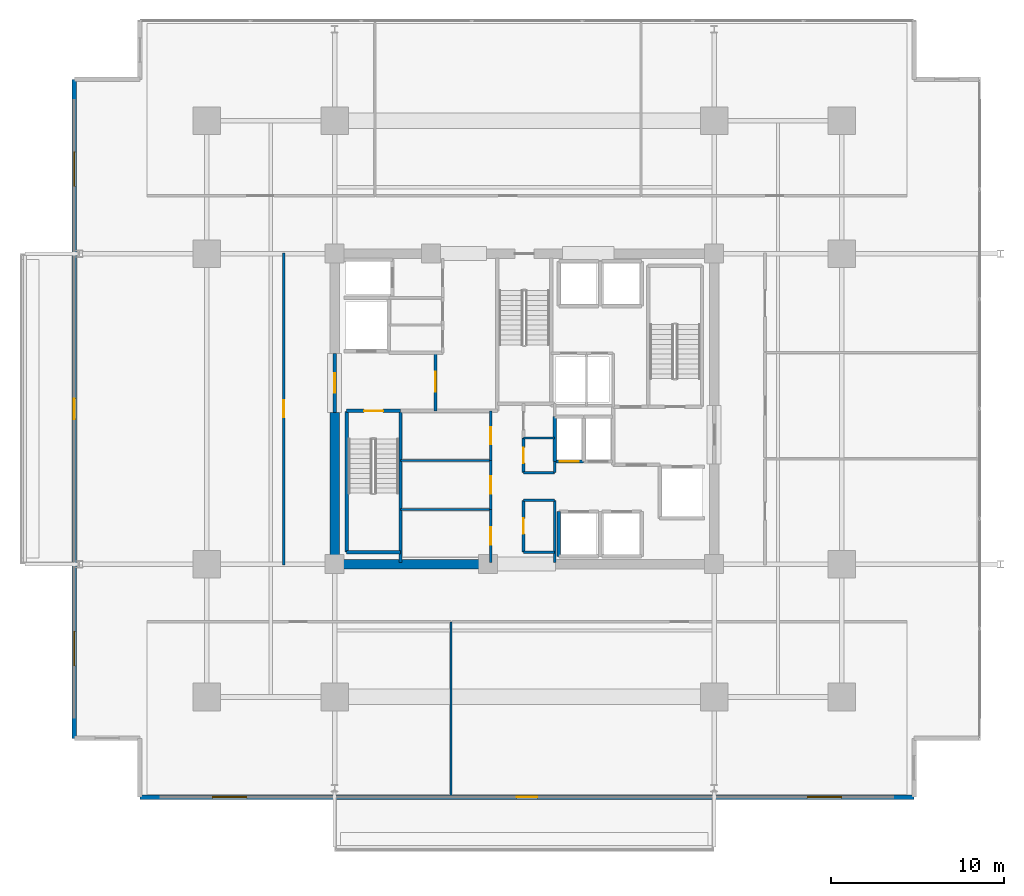
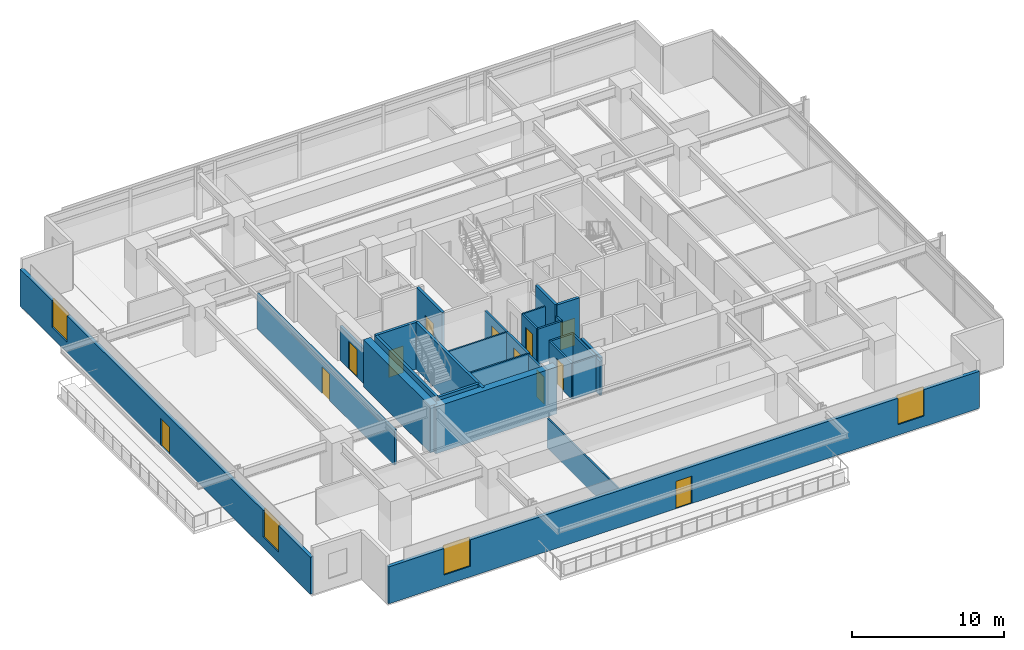
# One storey, part 14 of 23: 28 walls, 12 doors, 4 windows, 16 openings.
"""IFC4 building model written with IfcOpenShell, lengths in metres."""

from ifc_helpers import new_model, si_unit, direction, frame, frame_2d, origin, place, context, subcontext, project, spatial, rectangle, extrude, material, layer, layer_set, type_object, element, fill, save


model = new_model("IFC4")

# Units and contexts
model_context = context("Model", 3, precision=1e-05, world=origin(), true_north=direction((0.0, 1.0)))
body_context = subcontext(model_context, "Body", "Model", "MODEL_VIEW")
ifc_project = project(units=[si_unit("LENGTHUNIT", "METRE"), si_unit("AREAUNIT", "SQUARE_METRE"), si_unit("VOLUMEUNIT", "CUBIC_METRE"), si_unit("PLANEANGLEUNIT", "RADIAN"), si_unit("MASSUNIT", "GRAM", prefix="KILO")], contexts=[model_context])

# Site, building, storey
site_placement = place(None, origin())
site = spatial("IfcSite", under=ifc_project, at=site_placement, CompositionType="ELEMENT")
building_placement = place(site_placement, origin())
building = spatial("IfcBuilding", under=site, at=building_placement, Name="Kovane Verandah Tower", CompositionType="ELEMENT")
storey_placement = place(building_placement, frame((0.0, 0.0, 136.39990234375)))
storey = spatial("IfcBuildingStorey", under=building, at=storey_placement, Name="L31", CompositionType="ELEMENT", Elevation=136.39990234375)

# Walls
ifc_material_1 = material(Name="Fire-Rated Gypsum Stud Partition", Category="gypsum")
ifc_layer_1 = layer(ifc_material_1, 0.14990234375)
ifc_layer_set_1 = layer_set([ifc_layer_1], Name="Fire-Rated Gypsum Stud Partition")
wall_type_1 = type_object("IfcWallType", Name="WL-COR-150", PredefinedType="PARTITIONING", material=ifc_layer_set_1)
for number, where, z_axis, x_axis, name in (
    (1, (39.949951171875, 19.199951171875, 0.0), (0.0, 0.0, 1.0), (1.0, 0.0, 0.0), "L31 Central Core Strip South Wall"),
    (2, (39.949951171875, 22.199951171875, 0.0), (0.0, 0.0, 1.0), (1.0, 0.0, 0.0), "L31 Core Cross-Passage South Wall"),
    (3, (39.949951171875, 23.800048828125, 0.0), (0.0, 0.0, 1.0), (1.0, 0.0, 0.0), "L31 Core Cross-Passage North Wall"),
):
    element("IfcWall", number, at=place(storey_placement, frame(where, z_axis=z_axis, x_axis=x_axis)), inside=storey, type_object=wall_type_1, Name=name, PredefinedType="PARTITIONING", context=body_context, shape_type="SweptSolid", body=[
        extrude(rectangle(XDim=1.81005859375, YDim=0.14990234375, at=frame_2d((0.905029296875, 0.0))), origin(), (0.0, 0.0, 1.0), 2.85009765625),
    ])
wall_1_placement = place(storey_placement, frame((41.760009765625, 18.60009765625, 0.0), z_axis=(0.0, 0.0, 1.0), x_axis=(0.0, 1.0, 0.0)))
element("IfcWall", 4, at=wall_1_placement, inside=storey, type_object=wall_type_1, Name="L31 Central Core Strip Lower East Wall", PredefinedType="PARTITIONING", context=body_context, shape_type="SweptSolid", body=[
    extrude(rectangle(XDim=3.599853515625, YDim=0.14990234375, at=frame_2d((1.7998046875, 0.0))), origin(), (0.0, 0.0, 1.0), 2.755126953125),
])
wall_2_placement = place(storey_placement, frame((41.760009765625, 23.800048828125, 0.0), z_axis=(0.0, 0.0, 1.0), x_axis=(0.0, 1.0, 0.0)))
element("IfcWall", 5, at=wall_2_placement, inside=storey, type_object=wall_type_1, Name="L31 Central Core Strip Middle East Wall", PredefinedType="PARTITIONING", context=body_context, shape_type="SweptSolid", body=[
    extrude(rectangle(XDim=0.64990234375, YDim=0.14990234375, at=frame_2d((0.324951171875, 0.0))), origin(), (0.0, 0.0, 1.0), 2.85009765625),
])

# Wall, opening, door
wall_3_placement = place(storey_placement, frame((39.949951171875, 19.199951171875, 0.0), z_axis=(0.0, 0.0, 1.0), x_axis=(0.0, 1.0, 0.0)))
wall_3 = element("IfcWall", 6, at=wall_3_placement, inside=storey, type_object=wall_type_1, Name="L31 Male Toilet Partition", PredefinedType="PARTITIONING", context=body_context, shape_type="SweptSolid", body=[
    extrude(rectangle(XDim=3.0, YDim=0.14990234375, at=frame_2d((1.5, 0.0))), origin(), (0.0, 0.0, 1.0), 2.85009765625),
])
opening_1_placement = place(wall_3_placement, frame((1.050048828125, 0.0, 0.0)))
opening_1 = element("IfcOpeningElement", 7, at=opening_1_placement, cuts=wall_3, Name="Opening DR-L31-029", PredefinedType="OPENING", context=body_context, shape_type="SweptSolid", body=[
    extrude(rectangle(XDim=0.89990234375, YDim=2.10009765625, at=frame_2d((0.449951171875, 1.050048828125))), frame((0.0, 0.074951171875, 0.0), z_axis=(0.0, -1.0, 0.0), x_axis=(1.0, 0.0, 0.0)), (0.0, 0.0, 1.0), 0.14990234375),
])
ifc_material_2 = material(Name="Moisture-Resistant Laminate Washroom Door", Category="wood")
door_type_1 = type_object("IfcDoorType", Name="DR-WC-900", OperationType="SINGLE_SWING_LEFT", PredefinedType="DOOR", material=ifc_material_2)
door_1_placement = place(opening_1_placement, origin())
door_1 = element("IfcDoor", 8, at=door_1_placement, inside=storey, type_object=door_type_1, Name="L31 Male Toilet Door", OperationType="SINGLE_SWING_LEFT", OverallHeight=2.10009765625, OverallWidth=0.89990234375, PredefinedType="DOOR", context=body_context, shape_type="SweptSolid", body=[
    extrude(rectangle(XDim=0.89990234375, YDim=2.10009765625, at=frame_2d((0.449951171875, 1.050048828125))), frame((0.0, 0.02490234375, 0.0), z_axis=(0.0, -1.0, 0.0), x_axis=(1.0, 0.0, 0.0)), (0.0, 0.0, 1.0), 0.050048828125),
])
fill(opening_1, door_1)

wall_4_placement = place(storey_placement, frame((39.949951171875, 23.800048828125, 0.0), z_axis=(0.0, 0.0, 1.0), x_axis=(0.0, 1.0, 0.0)))
wall_4 = element("IfcWall", 9, at=wall_4_placement, inside=storey, type_object=wall_type_1, Name="L31 Female Toilet Partition", PredefinedType="PARTITIONING", context=body_context, shape_type="SweptSolid", body=[
    extrude(rectangle(XDim=2.0, YDim=0.14990234375, at=frame_2d((1.0, 0.0))), origin(), (0.0, 0.0, 1.0), 2.85009765625),
])
opening_2_placement = place(wall_4_placement, frame((0.550048828125, 0.0, 0.0)))
opening_2 = element("IfcOpeningElement", 10, at=opening_2_placement, cuts=wall_4, Name="Opening DR-L31-028", PredefinedType="OPENING", context=body_context, shape_type="SweptSolid", body=[
    extrude(rectangle(XDim=0.89990234375, YDim=2.10009765625, at=frame_2d((0.449951171875, 1.050048828125))), frame((0.0, 0.074951171875, 0.0), z_axis=(0.0, -1.0, 0.0), x_axis=(1.0, 0.0, 0.0)), (0.0, 0.0, 1.0), 0.14990234375),
])
door_2_placement = place(opening_2_placement, origin())
door_2 = element("IfcDoor", 11, at=door_2_placement, inside=storey, type_object=door_type_1, Name="L31 Female Toilet Door", OperationType="SINGLE_SWING_RIGHT", OverallHeight=2.10009765625, OverallWidth=0.89990234375, PredefinedType="DOOR", context=body_context, shape_type="SweptSolid", body=[
    extrude(rectangle(XDim=0.89990234375, YDim=2.10009765625, at=frame_2d((0.449951171875, 1.050048828125))), frame((0.0, 0.02490234375, 0.0), z_axis=(0.0, -1.0, 0.0), x_axis=(1.0, 0.0, 0.0)), (0.0, 0.0, 1.0), 0.050048828125),
])
fill(opening_2, door_2)

wall_5_placement = place(storey_placement, frame((38.050048828125, 18.60009765625, 0.0), z_axis=(0.0, 0.0, 1.0), x_axis=(0.0, 1.0, 0.0)))
wall_5 = element("IfcWall", 12, at=wall_5_placement, inside=storey, type_object=wall_type_1, Name="L31 Project Archive Room Partition", PredefinedType="PARTITIONING", context=body_context, shape_type="SweptSolid", body=[
    extrude(rectangle(XDim=3.059814453125, YDim=0.14990234375, at=frame_2d((1.52978515625, 0.0))), origin(), (0.0, 0.0, 1.0), 2.755126953125),
])
opening_3_placement = place(wall_5_placement, frame((1.030029296875, 0.0, 0.0)))
opening_3 = element("IfcOpeningElement", 13, at=opening_3_placement, cuts=wall_5, Name="Opening DR-L31-016", PredefinedType="OPENING", context=body_context, shape_type="SweptSolid", body=[
    extrude(rectangle(XDim=1.0, YDim=2.14990234375, at=frame_2d((0.5, 1.074951171875))), frame((0.0, 0.074951171875, 0.0), z_axis=(0.0, -1.0, 0.0), x_axis=(1.0, 0.0, 0.0)), (0.0, 0.0, 1.0), 0.14990234375),
])
ifc_material_3 = material(Name="FSC Spotted-Gum Timber Fire-Rated Office Door", Category="wood")
door_type_2 = type_object("IfcDoorType", Name="DR-OFF-1000", OperationType="SINGLE_SWING_LEFT", PredefinedType="DOOR", material=ifc_material_3)
door_3_placement = place(opening_3_placement, origin())
door_3 = element("IfcDoor", 14, at=door_3_placement, inside=storey, type_object=door_type_2, Name="L31 Project Archive Room Door", OperationType="SINGLE_SWING_LEFT", OverallHeight=2.14990234375, OverallWidth=1.0, PredefinedType="DOOR", context=body_context, shape_type="SweptSolid", body=[
    extrude(rectangle(XDim=1.0, YDim=2.14990234375, at=frame_2d((0.5, 1.074951171875))), frame((0.0, 0.02490234375, 0.0), z_axis=(0.0, -1.0, 0.0), x_axis=(1.0, 0.0, 0.0)), (0.0, 0.0, 1.0), 0.050048828125),
])
fill(opening_3, door_3)

wall_6_placement = place(storey_placement, frame((38.050048828125, 21.659912109375, 0.0), z_axis=(0.0, 0.0, 1.0), x_axis=(0.0, 1.0, 0.0)))
wall_6 = element("IfcWall", 15, at=wall_6_placement, inside=storey, type_object=wall_type_1, Name="L31 First Aid and Wellness Room Partition", PredefinedType="PARTITIONING", context=body_context, shape_type="SweptSolid", body=[
    extrude(rectangle(XDim=2.840087890625, YDim=0.14990234375, at=frame_2d((1.419921875, 0.0))), origin(), (0.0, 0.0, 1.0), 2.85009765625),
])
opening_4_placement = place(wall_6_placement, frame((0.919921875, 0.0, 0.0)))
opening_4 = element("IfcOpeningElement", 16, at=opening_4_placement, cuts=wall_6, Name="Opening DR-L31-017", PredefinedType="OPENING", context=body_context, shape_type="SweptSolid", body=[
    extrude(rectangle(XDim=1.0, YDim=2.14990234375, at=frame_2d((0.5, 1.074951171875))), frame((0.0, 0.074951171875, 0.0), z_axis=(0.0, -1.0, 0.0), x_axis=(1.0, 0.0, 0.0)), (0.0, 0.0, 1.0), 0.14990234375),
])
door_4_placement = place(opening_4_placement, origin())
door_4 = element("IfcDoor", 17, at=door_4_placement, inside=storey, type_object=door_type_2, Name="L31 First Aid and Wellness Room Door", OperationType="SINGLE_SWING_RIGHT", OverallHeight=2.14990234375, OverallWidth=1.0, PredefinedType="DOOR", context=body_context, shape_type="SweptSolid", body=[
    extrude(rectangle(XDim=1.0, YDim=2.14990234375, at=frame_2d((0.5, 1.074951171875))), frame((0.0, 0.02490234375, 0.0), z_axis=(0.0, -1.0, 0.0), x_axis=(1.0, 0.0, 0.0)), (0.0, 0.0, 1.0), 0.050048828125),
])
fill(opening_4, door_4)

wall_7_placement = place(storey_placement, frame((38.050048828125, 24.5, 0.0), z_axis=(0.0, 0.0, 1.0), x_axis=(0.0, 1.0, 0.0)))
wall_7 = element("IfcWall", 18, at=wall_7_placement, inside=storey, type_object=wall_type_1, Name="L31 Tea and Copy Hub Partition", PredefinedType="PARTITIONING", context=body_context, shape_type="SweptSolid", body=[
    extrude(rectangle(XDim=2.8798828125, YDim=0.14990234375, at=frame_2d((1.43994140625, 0.0))), origin(), (0.0, 0.0, 1.0), 2.85009765625),
])
opening_5_placement = place(wall_7_placement, frame((0.93994140625, 0.0, 0.0)))
opening_5 = element("IfcOpeningElement", 19, at=opening_5_placement, cuts=wall_7, Name="Opening DR-L31-018", PredefinedType="OPENING", context=body_context, shape_type="SweptSolid", body=[
    extrude(rectangle(XDim=1.0, YDim=2.14990234375, at=frame_2d((0.5, 1.074951171875))), frame((0.0, 0.074951171875, 0.0), z_axis=(0.0, -1.0, 0.0), x_axis=(1.0, 0.0, 0.0)), (0.0, 0.0, 1.0), 0.14990234375),
])
door_5_placement = place(opening_5_placement, origin())
door_5 = element("IfcDoor", 20, at=door_5_placement, inside=storey, type_object=door_type_2, Name="L31 Tea and Copy Hub Door", OperationType="SINGLE_SWING_LEFT", OverallHeight=2.14990234375, OverallWidth=1.0, PredefinedType="DOOR", context=body_context, shape_type="SweptSolid", body=[
    extrude(rectangle(XDim=1.0, YDim=2.14990234375, at=frame_2d((0.5, 1.074951171875))), frame((0.0, 0.02490234375, 0.0), z_axis=(0.0, -1.0, 0.0), x_axis=(1.0, 0.0, 0.0)), (0.0, 0.0, 1.0), 0.050048828125),
])
fill(opening_5, door_5)

wall_8_placement = place(storey_placement, frame((26.050048828125, 18.449951171875, 0.0), z_axis=(0.0, 0.0, 1.0), x_axis=(0.0, 1.0, 0.0)))
wall_8 = element("IfcWall", 21, at=wall_8_placement, inside=storey, type_object=wall_type_1, Name="L31 Document and Print Room W1 Corridor Partition", PredefinedType="PARTITIONING", context=body_context, shape_type="SweptSolid", body=[
    extrude(rectangle(XDim=18.10009765625, YDim=0.14990234375, at=frame_2d((9.050048828125, 0.0))), origin(), (0.0, 0.0, 1.0), 2.85009765625),
])
opening_6_placement = place(wall_8_placement, frame((8.550048828125, 0.0, 0.0)))
opening_6 = element("IfcOpeningElement", 22, at=opening_6_placement, cuts=wall_8, Name="Opening DR-L31-030", PredefinedType="OPENING", context=body_context, shape_type="SweptSolid", body=[
    extrude(rectangle(XDim=1.0, YDim=2.14990234375, at=frame_2d((0.5, 1.074951171875))), frame((0.0, 0.074951171875, 0.0), z_axis=(0.0, -1.0, 0.0), x_axis=(1.0, 0.0, 0.0)), (0.0, 0.0, 1.0), 0.14990234375),
])
door_6_placement = place(opening_6_placement, origin())
door_6 = element("IfcDoor", 23, at=door_6_placement, inside=storey, type_object=door_type_2, Name="L31 Document and Print Room W1 Entrance Door", OperationType="SINGLE_SWING_LEFT", OverallHeight=2.14990234375, OverallWidth=1.0, PredefinedType="DOOR", context=body_context, shape_type="SweptSolid", body=[
    extrude(rectangle(XDim=1.0, YDim=2.14990234375, at=frame_2d((0.5, 1.074951171875))), frame((0.0, 0.02490234375, 0.0), z_axis=(0.0, -1.0, 0.0), x_axis=(1.0, 0.0, 0.0)), (0.0, 0.0, 1.0), 0.050048828125),
])
fill(opening_6, door_6)

# Walls
ifc_material_4 = material(Name="Concrete C60/75", Category="concrete")
ifc_layer_2 = layer(ifc_material_4, 0.550048828125)
ifc_layer_set_2 = layer_set([ifc_layer_2], Name="Concrete C60/75")
wall_type_2 = type_object("IfcWallType", Name="WL-CORE-550", PredefinedType="SHEAR", material=ifc_layer_set_2)
wall_9_placement = place(storey_placement, frame((29.0, 18.5, 0.0), z_axis=(0.0, 0.0, 1.0), x_axis=(1.0, 0.0, 0.0)))
element("IfcWall", 24, at=wall_9_placement, inside=storey, type_object=wall_type_2, Name="L31 Core Shear Wall CS-1", PredefinedType="SHEAR", context=body_context, shape_type="SweptSolid", body=[
    extrude(rectangle(XDim=9.199951171875, YDim=0.550048828125, at=frame_2d((4.60009765625, 0.0))), origin(), (0.0, 0.0, 1.0), 3.775146484375),
])
wall_10_placement = place(storey_placement, frame((29.0, 18.5, 0.0), z_axis=(0.0, 0.0, 1.0), x_axis=(0.0, 1.0, 0.0)))
element("IfcWall", 25, at=wall_10_placement, inside=storey, type_object=wall_type_2, Name="L31 Core Shear Wall CW-1", PredefinedType="SHEAR", context=body_context, shape_type="SweptSolid", body=[
    extrude(rectangle(XDim=8.800048828125, YDim=0.550048828125, at=frame_2d((4.39990234375, 0.0))), origin(), (0.0, 0.0, 1.0), 3.775146484375),
])

# Wall, opening, door
ifc_material_5 = material(Name="Concrete C45/55 Fire Wall", Category="concrete")
ifc_layer_3 = layer(ifc_material_5, 0.199951171875)
ifc_layer_set_3 = layer_set([ifc_layer_3], Name="Concrete C45/55 Fire Wall")
wall_type_3 = type_object("IfcWallType", Name="WL-FFL-200", PredefinedType="PARTITIONING", material=ifc_layer_set_3)
wall_11_placement = place(storey_placement, frame((34.85009765625, 27.3798828125, 0.0), z_axis=(0.0, 0.0, 1.0), x_axis=(0.0, 1.0, 0.0)))
wall_11 = element("IfcWall", 26, at=wall_11_placement, inside=storey, type_object=wall_type_3, Name="W-L31-FFLW-E", PredefinedType="PARTITIONING", context=body_context, shape_type="SweptSolid", body=[
    extrude(rectangle(XDim=3.3701171875, YDim=0.199951171875, at=frame_2d((1.68505859375, 0.0))), origin(), (0.0, 0.0, 1.0), 3.775146484375),
])
opening_7_placement = place(wall_11_placement, frame((1.110107421875, 0.0, 0.0)))
opening_7 = element("IfcOpeningElement", 27, at=opening_7_placement, cuts=wall_11, Name="Opening DR-L31-006", PredefinedType="OPENING", context=body_context, shape_type="SweptSolid", body=[
    extrude(rectangle(XDim=1.14990234375, YDim=2.199951171875, at=frame_2d((0.574951171875, 1.10009765625))), frame((0.0, 0.10009765625, 0.0), z_axis=(0.0, -1.0, 0.0), x_axis=(1.0, 0.0, 0.0)), (0.0, 0.0, 1.0), 0.199951171875),
])
ifc_material_6 = material(Name="Smoke-Sealed Firefighting Lobby Door", Category="steel")
door_type_3 = type_object("IfcDoorType", Name="DR-FFL-1150", OperationType="SINGLE_SWING_LEFT", PredefinedType="DOOR", material=ifc_material_6)
door_7_placement = place(opening_7_placement, origin())
door_7 = element("IfcDoor", 28, at=door_7_placement, inside=storey, type_object=door_type_3, Name="L31 West Firefighting Lobby Inner Door", OperationType="SINGLE_SWING_LEFT", OverallHeight=2.199951171875, OverallWidth=1.14990234375, PredefinedType="DOOR", context=body_context, shape_type="SweptSolid", body=[
    extrude(rectangle(XDim=1.14990234375, YDim=2.199951171875, at=frame_2d((0.574951171875, 1.10009765625))), frame((0.0, 0.02490234375, 0.0), z_axis=(0.0, -1.0, 0.0), x_axis=(1.0, 0.0, 0.0)), (0.0, 0.0, 1.0), 0.050048828125),
])
fill(opening_7, door_7)

wall_12_placement = place(storey_placement, frame((29.0, 27.300048828125, 0.0), z_axis=(0.0, 0.0, 1.0), x_axis=(0.0, 1.0, 0.0)))
wall_12 = element("IfcWall", 29, at=wall_12_placement, inside=storey, type_object=wall_type_3, Name="W-L31-FFLW-OUT", PredefinedType="PARTITIONING", context=body_context, shape_type="SweptSolid", body=[
    extrude(rectangle(XDim=3.39990234375, YDim=0.199951171875, at=frame_2d((1.699951171875, 0.0))), origin(), (0.0, 0.0, 1.0), 2.755126953125),
])
opening_8_placement = place(wall_12_placement, frame((1.125, 0.0, 0.0)))
opening_8 = element("IfcOpeningElement", 30, at=opening_8_placement, cuts=wall_12, Name="Opening DR-L31-007", PredefinedType="OPENING", context=body_context, shape_type="SweptSolid", body=[
    extrude(rectangle(XDim=1.14990234375, YDim=2.199951171875, at=frame_2d((0.574951171875, 1.10009765625))), frame((0.0, 0.10009765625, 0.0), z_axis=(0.0, -1.0, 0.0), x_axis=(1.0, 0.0, 0.0)), (0.0, 0.0, 1.0), 0.199951171875),
])
door_8_placement = place(opening_8_placement, origin())
door_8 = element("IfcDoor", 31, at=door_8_placement, inside=storey, type_object=door_type_3, Name="L31 West Firefighting Lobby Corridor Door", OperationType="SINGLE_SWING_RIGHT", OverallHeight=2.199951171875, OverallWidth=1.14990234375, PredefinedType="DOOR", context=body_context, shape_type="SweptSolid", body=[
    extrude(rectangle(XDim=1.14990234375, YDim=2.199951171875, at=frame_2d((0.574951171875, 1.10009765625))), frame((0.0, 0.02490234375, 0.0), z_axis=(0.0, -1.0, 0.0), x_axis=(1.0, 0.0, 0.0)), (0.0, 0.0, 1.0), 0.050048828125),
])
fill(opening_8, door_8)

# Wall
ifc_material_7 = material(Name="Concrete C45/55 Lift Shaft Wall", Category="concrete")
ifc_layer_4 = layer(ifc_material_7, 0.199951171875)
ifc_layer_set_4 = layer_set([ifc_layer_4], Name="Concrete C45/55 Lift Shaft Wall")
wall_type_4 = type_object("IfcWallType", Name="WL-LIFT-200", PredefinedType="SOLIDWALL", material=ifc_layer_set_4)
wall_13_placement = place(storey_placement, frame((42.0, 21.550048828125, 0.0), z_axis=(0.0, 0.0, 1.0), x_axis=(0.0, -1.0, 0.0)))
element("IfcWall", 32, at=wall_13_placement, inside=storey, type_object=wall_type_4, Name="L31 Lift PL-M1 W Shaft Wall", PredefinedType="SOLIDWALL", context=body_context, shape_type="SweptSolid", body=[
    extrude(rectangle(XDim=2.60009765625, YDim=0.199951171875, at=frame_2d((1.300048828125, 0.0))), origin(), (0.0, 0.0, 1.0), 2.755126953125),
])

# Wall, opening, door
wall_14_placement = place(storey_placement, frame((41.760009765625, 24.449951171875, 0.0), z_axis=(0.0, 0.0, 1.0), x_axis=(1.0, 0.0, 0.0)))
wall_14 = element("IfcWall", 33, at=wall_14_placement, inside=storey, type_object=wall_type_4, Name="L31 Lift PL-M3 S Shaft Wall", PredefinedType="SOLIDWALL", context=body_context, shape_type="SweptSolid", body=[
    extrude(rectangle(XDim=1.679931640625, YDim=0.199951171875, at=frame_2d((0.83984375, 0.0))), origin(), (0.0, 0.0, 1.0), 3.775146484375),
])
opening_9_placement = place(wall_14_placement, frame((0.2900390625, 0.0, 0.0)))
opening_9 = element("IfcOpeningElement", 34, at=opening_9_placement, cuts=wall_14, Name="Opening LD-L31-006", PredefinedType="OPENING", context=body_context, shape_type="SweptSolid", body=[
    extrude(rectangle(XDim=1.10009765625, YDim=2.199951171875, at=frame_2d((0.550048828125, 1.10009765625))), frame((0.0, 0.10009765625, 0.0), z_axis=(0.0, -1.0, 0.0), x_axis=(1.0, 0.0, 0.0)), (0.0, 0.0, 1.0), 0.199951171875),
])
ifc_material_8 = material(Name="Brushed Stainless Steel Sliding Lift Landing Door", Category="steel")
door_type_4 = type_object("IfcDoorType", Name="DR-LIFT-1100", OperationType="SLIDING_TO_RIGHT", PredefinedType="DOOR", material=ifc_material_8)
door_9_placement = place(opening_9_placement, origin())
door_9 = element("IfcDoor", 35, at=door_9_placement, inside=storey, type_object=door_type_4, Name="L31 Lift PL-M3 Sliding Landing Door", OperationType="SLIDING_TO_RIGHT", OverallHeight=2.199951171875, OverallWidth=1.10009765625, PredefinedType="DOOR", context=body_context, shape_type="SweptSolid", body=[
    extrude(rectangle(XDim=1.10009765625, YDim=2.199951171875, at=frame_2d((0.550048828125, 1.10009765625))), frame((0.0, 0.02490234375, 0.0), z_axis=(0.0, -1.0, 0.0), x_axis=(1.0, 0.0, 0.0)), (0.0, 0.0, 1.0), 0.050048828125),
])
fill(opening_9, door_9)

# Walls
wall_15_placement = place(storey_placement, frame((41.760009765625, 27.050048828125, 0.0), z_axis=(0.0, 0.0, 1.0), x_axis=(0.0, -1.0, 0.0)))
element("IfcWall", 36, at=wall_15_placement, inside=storey, type_object=wall_type_4, Name="L31 Lift PL-M3 W Shaft Wall", PredefinedType="SOLIDWALL", context=body_context, shape_type="SweptSolid", body=[
    extrude(rectangle(XDim=2.60009765625, YDim=0.199951171875, at=frame_2d((1.300048828125, 0.0))), origin(), (0.0, 0.0, 1.0), 3.775146484375),
])
ifc_material_9 = material(Name="Acoustic Fire-Rated Gypsum Partition", Category="gypsum")
ifc_layer_5 = layer(ifc_material_9, 0.1201171875)
ifc_layer_set_5 = layer_set([ifc_layer_5], Name="Acoustic Fire-Rated Gypsum Partition")
wall_type_5 = type_object("IfcWallType", Name="WL-PART-120", PredefinedType="PARTITIONING", material=ifc_layer_set_5)
wall_16_placement = place(storey_placement, frame((39.949951171875, 25.800048828125, 0.0), z_axis=(0.0, 0.0, 1.0), x_axis=(1.0, 0.0, 0.0)))
element("IfcWall", 37, at=wall_16_placement, inside=storey, type_object=wall_type_5, Name="L31 Central Core Strip Upper Dividing Partition", PredefinedType="PARTITIONING", context=body_context, shape_type="SweptSolid", body=[
    extrude(rectangle(XDim=1.81005859375, YDim=0.1201171875, at=frame_2d((0.905029296875, 0.0))), origin(), (0.0, 0.0, 1.0), 2.85009765625),
])
for number, where, z_axis, x_axis, name in (
    (38, (32.820068359375, 21.659912109375, 0.0), (0.0, 0.0, 1.0), (1.0, 0.0, 0.0), "L31 Core Support Lower Dividing Partition"),
    (39, (32.820068359375, 24.5, 0.0), (0.0, 0.0, 1.0), (1.0, 0.0, 0.0), "L31 Core Support Upper Dividing Partition"),
):
    element("IfcWall", number, at=place(storey_placement, frame(where, z_axis=z_axis, x_axis=x_axis)), inside=storey, type_object=wall_type_5, Name=name, PredefinedType="PARTITIONING", context=body_context, shape_type="SweptSolid", body=[
        extrude(rectangle(XDim=5.22998046875, YDim=0.1201171875, at=frame_2d((2.614990234375, 0.0))), origin(), (0.0, 0.0, 1.0), 2.85009765625),
    ])
wall_17_placement = place(storey_placement, frame((35.743896484375, 5.099609375, 0.0), z_axis=(0.0, 0.0, 1.0), x_axis=(0.0, 1.0, 0.0)))
element("IfcWall", 40, at=wall_17_placement, inside=storey, type_object=wall_type_5, Name="L31 Breakout Pantry S1 Dividing Partition", PredefinedType="PARTITIONING", context=body_context, shape_type="SweptSolid", body=[
    extrude(rectangle(XDim=10.05029296875, YDim=0.1201171875, at=frame_2d((5.025146484375, 0.0))), origin(), (0.0, 0.0, 1.0), 2.405029296875),
])
ifc_material_10 = material(Name="Concrete C45/55", Category="concrete")
ifc_layer_6 = layer(ifc_material_10, 0.199951171875)
ifc_layer_set_6 = layer_set([ifc_layer_6], Name="Concrete C45/55")
wall_type_6 = type_object("IfcWallType", Name="WL-SHAFT-200", PredefinedType="SOLIDWALL", material=ifc_layer_set_6)
wall_18_placement = place(storey_placement, frame((29.699951171875, 19.199951171875, 0.0), z_axis=(0.0, 0.0, 1.0), x_axis=(0.0, 1.0, 0.0)))
element("IfcWall", 41, at=wall_18_placement, inside=storey, type_object=wall_type_6, Name="W-L31-ST01-W", PredefinedType="SOLIDWALL", context=body_context, shape_type="SweptSolid", body=[
    extrude(rectangle(XDim=8.150146484375, YDim=0.199951171875, at=frame_2d((4.0751953125, 0.0))), origin(), (0.0, 0.0, 1.0), 3.775146484375),
])
wall_19_placement = place(storey_placement, frame((29.699951171875, 19.199951171875, 0.0), z_axis=(0.0, 0.0, 1.0), x_axis=(1.0, 0.0, 0.0)))
element("IfcWall", 42, at=wall_19_placement, inside=storey, type_object=wall_type_6, Name="W-L31-ST01-S", PredefinedType="SOLIDWALL", context=body_context, shape_type="SweptSolid", body=[
    extrude(rectangle(XDim=3.1201171875, YDim=0.199951171875, at=frame_2d((1.56005859375, 0.0))), origin(), (0.0, 0.0, 1.0), 3.775146484375),
])
wall_20_placement = place(storey_placement, frame((32.820068359375, 18.60009765625, 0.0), z_axis=(0.0, 0.0, 1.0), x_axis=(0.0, 1.0, 0.0)))
element("IfcWall", 43, at=wall_20_placement, inside=storey, type_object=wall_type_6, Name="W-L31-ST01-E", PredefinedType="SOLIDWALL", context=body_context, shape_type="SweptSolid", body=[
    extrude(rectangle(XDim=8.77978515625, YDim=0.199951171875, at=frame_2d((4.389892578125, 0.0))), origin(), (0.0, 0.0, 1.0), 3.775146484375),
])

# Wall, opening, door
wall_21_placement = place(storey_placement, frame((29.699951171875, 27.3798828125, 0.0), z_axis=(0.0, 0.0, 1.0), x_axis=(1.0, 0.0, 0.0)))
wall_21 = element("IfcWall", 44, at=wall_21_placement, inside=storey, type_object=wall_type_6, Name="W-L31-ST01-N", PredefinedType="SOLIDWALL", context=body_context, shape_type="SweptSolid", body=[
    extrude(rectangle(XDim=3.1201171875, YDim=0.199951171875, at=frame_2d((1.56005859375, 0.0))), origin(), (0.0, 0.0, 1.0), 3.775146484375),
])
opening_10_placement = place(wall_21_placement, frame((1.010009765625, 0.0, 0.0)))
opening_10 = element("IfcOpeningElement", 45, at=opening_10_placement, cuts=wall_21, Name="Opening DR-L31-009", PredefinedType="OPENING", context=body_context, shape_type="SweptSolid", body=[
    extrude(rectangle(XDim=1.10009765625, YDim=2.14990234375, at=frame_2d((0.550048828125, 1.074951171875))), frame((0.0, 0.10009765625, 0.0), z_axis=(0.0, -1.0, 0.0), x_axis=(1.0, 0.0, 0.0)), (0.0, 0.0, 1.0), 0.199951171875),
])
ifc_material_11 = material(Name="Fire-Rated Steel Exit Door", Category="steel")
door_type_5 = type_object("IfcDoorType", Name="DR-STAIR-1100", OperationType="SINGLE_SWING_LEFT", PredefinedType="DOOR", material=ifc_material_11)
door_10_placement = place(opening_10_placement, origin())
door_10 = element("IfcDoor", 46, at=door_10_placement, inside=storey, type_object=door_type_5, Name="L31 ST-01 Fire Exit Stair Door", OperationType="SINGLE_SWING_RIGHT", OverallHeight=2.14990234375, OverallWidth=1.10009765625, PredefinedType="DOOR", context=body_context, shape_type="SweptSolid", body=[
    extrude(rectangle(XDim=1.10009765625, YDim=2.14990234375, at=frame_2d((0.550048828125, 1.074951171875))), frame((0.0, 0.02490234375, 0.0), z_axis=(0.0, -1.0, 0.0), x_axis=(1.0, 0.0, 0.0)), (0.0, 0.0, 1.0), 0.050048828125),
])
fill(opening_10, door_10)

# Wall, openings, door, windows
ifc_material_12 = material(Name="Concrete C45/55 Insulated Spandrel Wall", Category="concrete")
ifc_layer_7 = layer(ifc_material_12, 0.260009765625)
ifc_layer_set_7 = layer_set([ifc_layer_7], Name="Concrete C45/55 Insulated Spandrel Wall")
wall_type_7 = type_object("IfcWallType", Name="WL-SPANDREL-260", PredefinedType="PARAPET", material=ifc_layer_set_7)
wall_22_placement = place(storey_placement, frame((17.713623046875, 4.99951171875, 0.0), z_axis=(0.0, 0.0, 1.0), x_axis=(1.0, 0.0, 0.0)))
wall_22 = element("IfcWall", 47, at=wall_22_placement, inside=storey, type_object=wall_type_7, Name="L31 S Verandah Access Facade Wall", PredefinedType="PARAPET", context=body_context, shape_type="SweptSolid", body=[
    extrude(rectangle(XDim=44.8759765625, YDim=0.260009765625, at=frame_2d((22.43798828125, 0.0))), origin(), (0.0, 0.0, 1.0), 2.97021484375),
])
opening_11_placement = place(wall_22_placement, frame((4.199951171875, 0.0, 0.85009765625)))
opening_11 = element("IfcOpeningElement", 48, at=opening_11_placement, cuts=wall_22, Name="Opening W-04", PredefinedType="OPENING", context=body_context, shape_type="SweptSolid", body=[
    extrude(rectangle(XDim=2.0, YDim=2.300048828125, at=frame_2d((1.0, 1.14990234375))), frame((0.0, 0.1298828125, 0.0), z_axis=(0.0, -1.0, 0.0), x_axis=(1.0, 0.0, 0.0)), (0.0, 0.0, 1.0), 0.260009765625),
])
opening_12_placement = place(wall_22_placement, frame((21.838134765625, 0.0, 0.0)))
opening_12 = element("IfcOpeningElement", 49, at=opening_12_placement, cuts=wall_22, Name="Opening DR-L31-001", PredefinedType="OPENING", context=body_context, shape_type="SweptSolid", body=[
    extrude(rectangle(XDim=1.199951171875, YDim=2.199951171875, at=frame_2d((0.60009765625, 1.10009765625))), frame((0.0, 0.1298828125, 0.0), z_axis=(0.0, -1.0, 0.0), x_axis=(1.0, 0.0, 0.0)), (0.0, 0.0, 1.0), 0.260009765625),
])
opening_13_placement = place(wall_22_placement, frame((38.676025390625, 0.0, 0.85009765625)))
opening_13 = element("IfcOpeningElement", 50, at=opening_13_placement, cuts=wall_22, Name="Opening W-04", PredefinedType="OPENING", context=body_context, shape_type="SweptSolid", body=[
    extrude(rectangle(XDim=2.0, YDim=2.300048828125, at=frame_2d((1.0, 1.14990234375))), frame((0.0, 0.1298828125, 0.0), z_axis=(0.0, -1.0, 0.0), x_axis=(1.0, 0.0, 0.0)), (0.0, 0.0, 1.0), 0.260009765625),
])
ifc_material_13 = material(Name="Cyclone-Rated Glazed Balcony Leaf Door", Category="aluminium")
door_type_6 = type_object("IfcDoorType", Name="DR-BAL-1200x2200", OperationType="SINGLE_SWING_LEFT", PredefinedType="DOOR", material=ifc_material_13)
door_11_placement = place(opening_12_placement, origin())
door_11 = element("IfcDoor", 51, at=door_11_placement, inside=storey, type_object=door_type_6, Name="L31 S Planted Balcony Access Door", OperationType="SINGLE_SWING_LEFT", OverallHeight=2.199951171875, OverallWidth=1.199951171875, PredefinedType="DOOR", context=body_context, shape_type="SweptSolid", body=[
    extrude(rectangle(XDim=1.199951171875, YDim=2.199951171875, at=frame_2d((0.60009765625, 1.10009765625))), frame((0.0, 0.02490234375, 0.0), z_axis=(0.0, -1.0, 0.0), x_axis=(1.0, 0.0, 0.0)), (0.0, 0.0, 1.0), 0.050048828125),
])
fill(opening_12, door_11)
ifc_material_14 = material(Name="Clear Low-E Laminated Double Glazing in Anodised Frame", Category="glass")
window_type = type_object("IfcWindowType", Name="WN-FIXED-2000x2300", PartitioningType="SINGLE_PANEL", PredefinedType="WINDOW", material=ifc_material_14)
window_1_placement = place(opening_11_placement, origin())
window_1 = element("IfcWindow", 52, at=window_1_placement, inside=storey, type_object=window_type, Name="L31 S Verandah View Window 1", OverallHeight=2.300048828125, OverallWidth=2.0, PartitioningType="SINGLE_PANEL", PredefinedType="WINDOW", context=body_context, shape_type="SweptSolid", body=[
    extrude(rectangle(XDim=2.0, YDim=2.300048828125, at=frame_2d((1.0, 1.14990234375))), frame((0.0, 0.030029296875, 0.0), z_axis=(0.0, -1.0, 0.0), x_axis=(1.0, 0.0, 0.0)), (0.0, 0.0, 1.0), 0.06005859375),
])
fill(opening_11, window_1)
window_2_placement = place(opening_13_placement, origin())
window_2 = element("IfcWindow", 53, at=window_2_placement, inside=storey, type_object=window_type, Name="L31 S Verandah View Window 2", OverallHeight=2.300048828125, OverallWidth=2.0, PartitioningType="SINGLE_PANEL", PredefinedType="WINDOW", context=body_context, shape_type="SweptSolid", body=[
    extrude(rectangle(XDim=2.0, YDim=2.300048828125, at=frame_2d((1.0, 1.14990234375))), frame((0.0, 0.030029296875, 0.0), z_axis=(0.0, -1.0, 0.0), x_axis=(1.0, 0.0, 0.0)), (0.0, 0.0, 1.0), 0.06005859375),
])
fill(opening_13, window_2)

wall_23_placement = place(storey_placement, frame((13.91357421875, 46.6005859375, 0.0), z_axis=(0.0, 0.0, 1.0), x_axis=(0.0, -1.0, 0.0)))
wall_23 = element("IfcWall", 54, at=wall_23_placement, inside=storey, type_object=wall_type_7, Name="L31 W Verandah Access Facade Wall", PredefinedType="PARAPET", context=body_context, shape_type="SweptSolid", body=[
    extrude(rectangle(XDim=38.201171875, YDim=0.260009765625, at=frame_2d((19.1005859375, 0.0))), origin(), (0.0, 0.0, 1.0), 2.97021484375),
])
opening_14_placement = place(wall_23_placement, frame((4.199951171875, 0.0, 0.85009765625)))
opening_14 = element("IfcOpeningElement", 55, at=opening_14_placement, cuts=wall_23, Name="Opening W-04", PredefinedType="OPENING", context=body_context, shape_type="SweptSolid", body=[
    extrude(rectangle(XDim=2.0, YDim=2.300048828125, at=frame_2d((1.0, 1.14990234375))), frame((0.0, 0.1298828125, 0.0), z_axis=(0.0, -1.0, 0.0), x_axis=(1.0, 0.0, 0.0)), (0.0, 0.0, 1.0), 0.260009765625),
])
opening_15_placement = place(wall_23_placement, frame((18.50048828125, 0.0, 0.0)))
opening_15 = element("IfcOpeningElement", 56, at=opening_15_placement, cuts=wall_23, Name="Opening DR-L31-002", PredefinedType="OPENING", context=body_context, shape_type="SweptSolid", body=[
    extrude(rectangle(XDim=1.199951171875, YDim=2.199951171875, at=frame_2d((0.60009765625, 1.10009765625))), frame((0.0, 0.1298828125, 0.0), z_axis=(0.0, -1.0, 0.0), x_axis=(1.0, 0.0, 0.0)), (0.0, 0.0, 1.0), 0.260009765625),
])
opening_16_placement = place(wall_23_placement, frame((32.0009765625, 0.0, 0.85009765625)))
opening_16 = element("IfcOpeningElement", 57, at=opening_16_placement, cuts=wall_23, Name="Opening W-04", PredefinedType="OPENING", context=body_context, shape_type="SweptSolid", body=[
    extrude(rectangle(XDim=2.0, YDim=2.300048828125, at=frame_2d((1.0, 1.14990234375))), frame((0.0, 0.1298828125, 0.0), z_axis=(0.0, -1.0, 0.0), x_axis=(1.0, 0.0, 0.0)), (0.0, 0.0, 1.0), 0.260009765625),
])
door_12_placement = place(opening_15_placement, origin())
door_12 = element("IfcDoor", 58, at=door_12_placement, inside=storey, type_object=door_type_6, Name="L31 W Planted Balcony Access Door", OperationType="SINGLE_SWING_LEFT", OverallHeight=2.199951171875, OverallWidth=1.199951171875, PredefinedType="DOOR", context=body_context, shape_type="SweptSolid", body=[
    extrude(rectangle(XDim=1.199951171875, YDim=2.199951171875, at=frame_2d((0.60009765625, 1.10009765625))), frame((0.0, 0.02490234375, 0.0), z_axis=(0.0, -1.0, 0.0), x_axis=(1.0, 0.0, 0.0)), (0.0, 0.0, 1.0), 0.050048828125),
])
fill(opening_15, door_12)
window_3_placement = place(opening_14_placement, origin())
window_3 = element("IfcWindow", 59, at=window_3_placement, inside=storey, type_object=window_type, Name="L31 W Verandah View Window 1", OverallHeight=2.300048828125, OverallWidth=2.0, PartitioningType="SINGLE_PANEL", PredefinedType="WINDOW", context=body_context, shape_type="SweptSolid", body=[
    extrude(rectangle(XDim=2.0, YDim=2.300048828125, at=frame_2d((1.0, 1.14990234375))), frame((0.0, 0.030029296875, 0.0), z_axis=(0.0, -1.0, 0.0), x_axis=(1.0, 0.0, 0.0)), (0.0, 0.0, 1.0), 0.06005859375),
])
fill(opening_14, window_3)
window_4_placement = place(opening_16_placement, origin())
window_4 = element("IfcWindow", 60, at=window_4_placement, inside=storey, type_object=window_type, Name="L31 W Verandah View Window 2", OverallHeight=2.300048828125, OverallWidth=2.0, PartitioningType="SINGLE_PANEL", PredefinedType="WINDOW", context=body_context, shape_type="SweptSolid", body=[
    extrude(rectangle(XDim=2.0, YDim=2.300048828125, at=frame_2d((1.0, 1.14990234375))), frame((0.0, 0.030029296875, 0.0), z_axis=(0.0, -1.0, 0.0), x_axis=(1.0, 0.0, 0.0)), (0.0, 0.0, 1.0), 0.06005859375),
])
fill(opening_16, window_4)

save(model, "model.ifc")
